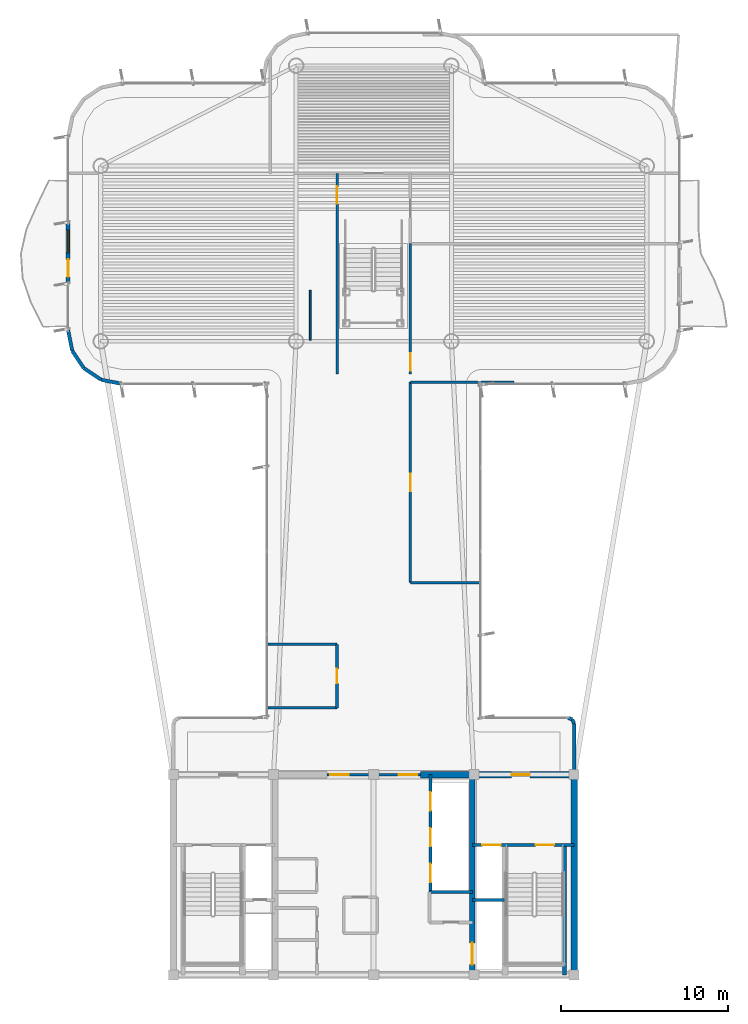
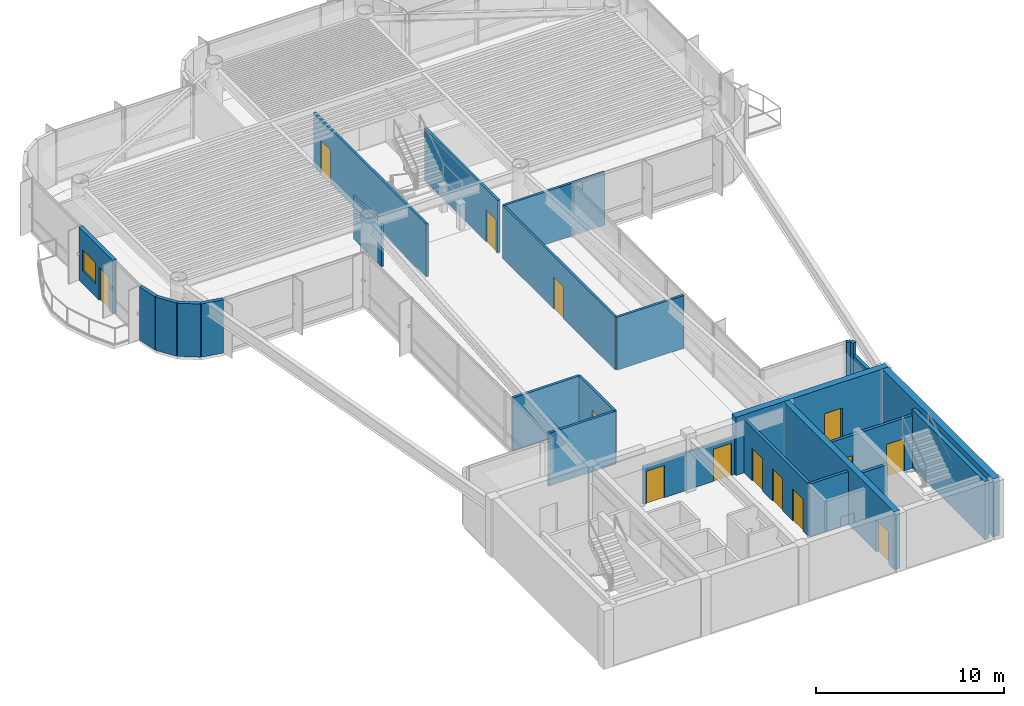
# One storey, part 11 of 17: 26 walls, 14 doors, 1 window, 15 openings.
"""IFC4 building model written with IfcOpenShell, lengths in metres."""

import ifcopenshell
import ifcopenshell.guid

model = None  # the IFC model being written
_history = None  # IfcOwnerHistory: only IFC2X3 demands one
_inside = {}  # id of a spatial element -> (the spatial element, [elements in it])
_under = {}  # id of a project, library or spatial element -> (it, [spatial elements below it])
_declared = {}  # id of a project -> (the project, [libraries it declares])
_typed = {}  # id of a type object -> (the type object, [elements of that type])
_made_of = {}  # id of a material, layer set ... -> (it, [elements and type objects made of it])


def new_model(schema):
    """Start an empty IFC model of exactly this schema.

    Asked for "IFC4X3", IfcOpenShell would pick the latest addendum, in which some entities
    have other attributes; the version numbers below select the first issue.
    IFC2X3 requires an IfcOwnerHistory on every rooted entity: one is made here for all.
    """
    global model, _history
    if schema == "IFC4X3":
        model = ifcopenshell.file(schema_version=(4, 3, 0, 0))
    else:
        model = ifcopenshell.file(schema=schema)
    _inside.clear()
    _under.clear()
    _declared.clear()
    _typed.clear()
    _made_of.clear()
    _history = None
    if model.schema == "IFC2X3":
        org = make("IfcOrganization", Name="unknown")
        user = make(
            "IfcPersonAndOrganization",
            ThePerson=make("IfcPerson", FamilyName="unknown"),
            TheOrganization=org,
        )
        app = make(
            "IfcApplication",
            ApplicationDeveloper=org,
            Version="unknown",
            ApplicationFullName="unknown",
            ApplicationIdentifier="unknown",
        )
        _history = make(
            "IfcOwnerHistory",
            OwningUser=user,
            OwningApplication=app,
            ChangeAction="ADDED",
            CreationDate=0,
        )
    return model


def make(cls, **values):
    """One entity of the class cls with the attributes given. An attribute that is None is left unset."""
    return model.create_entity(
        cls, **{name: value for name, value in values.items() if value is not None}
    )


def rooted(cls, **values):
    """An entity with a GlobalId (a new one), such as an element, a storey or a relation."""
    return make(cls, GlobalId=ifcopenshell.guid.new(), OwnerHistory=_history, **values)


def si_unit(unit_type, name, prefix=None):
    """IfcSIUnit, for example si_unit("LENGTHUNIT", "METRE", prefix="MILLI")."""
    return make("IfcSIUnit", UnitType=unit_type, Prefix=prefix, Name=name)


def assignment(units):
    """IfcUnitAssignment: the units of a project."""
    return None if units is None else make("IfcUnitAssignment", Units=units)


def point(xyz):
    """IfcCartesianPoint."""
    return None if xyz is None else make("IfcCartesianPoint", Coordinates=xyz)


def direction(xyz):
    """IfcDirection."""
    return None if xyz is None else make("IfcDirection", DirectionRatios=xyz)


def frame(location, z_axis=None, x_axis=None):
    """IfcAxis2Placement3D, a coordinate frame: its origin and axes. An axis left out is left unset."""
    return make(
        "IfcAxis2Placement3D",
        Location=point(location),
        Axis=direction(z_axis),
        RefDirection=direction(x_axis),
    )


def frame_2d(location, x_axis=None):
    """IfcAxis2Placement2D, a coordinate frame in the plane: its origin and x axis."""
    return make(
        "IfcAxis2Placement2D", Location=point(location), RefDirection=direction(x_axis)
    )


def origin():
    """The frame at (0, 0, 0) with its axes left unset."""
    return frame((0.0, 0.0, 0.0))


def origin_2d():
    """The frame at (0, 0) in the plane with its x axis left unset."""
    return frame_2d((0.0, 0.0))


def place(relative_to, where):
    """IfcLocalPlacement: puts the frame where relative to a parent placement (None: the world)."""
    return make(
        "IfcLocalPlacement", PlacementRelTo=relative_to, RelativePlacement=where
    )


def context(
    kind, dimensions, precision=None, world=None, true_north=None, identifier=None
):
    """IfcGeometricRepresentationContext, for example the 3D "Model" context."""
    return make(
        "IfcGeometricRepresentationContext",
        ContextIdentifier=identifier,
        ContextType=kind,
        CoordinateSpaceDimension=dimensions,
        Precision=precision,
        WorldCoordinateSystem=world,
        TrueNorth=true_north,
    )


def subcontext(parent, identifier, kind, view, scale=None):
    """IfcGeometricRepresentationSubContext, for example "Body" below "Model"."""
    return make(
        "IfcGeometricRepresentationSubContext",
        ContextIdentifier=identifier,
        ContextType=kind,
        ParentContext=parent,
        TargetScale=scale,
        TargetView=view,
    )


def project(units=None, contexts=None):
    """IfcProject with its units and contexts."""
    return rooted(
        "IfcProject",
        Name="project",
        RepresentationContexts=contexts,
        UnitsInContext=assignment(units),
    )


def spatial(cls, under=None, at=None, **own):
    """A site, building, storey or space (cls), placed at a placement, below another one or the project."""
    s = rooted(cls, ObjectPlacement=at, **own)
    if under is not None:
        _under.setdefault(under.id(), (under, []))[1].append(s)
    return s


def profile(cls, at=None, kind="AREA", **sizes):
    """A parametric profile (cls). Its sizes go by their IFC names, for example OverallWidth=200.0."""
    return make(cls, ProfileType=kind, Position=at, **sizes)


def rectangle(**sizes):
    """IfcRectangleProfileDef."""
    return profile("IfcRectangleProfileDef", **sizes)


def extrude(swept, where, along, depth):
    """IfcExtrudedAreaSolid: the profile swept, set in the frame where, extruded along a direction by depth."""
    return make(
        "IfcExtrudedAreaSolid",
        SweptArea=swept,
        Position=where,
        ExtrudedDirection=direction(along),
        Depth=depth,
    )


def shape(context_of_items, identifier, shape_type, items):
    """IfcShapeRepresentation: the items that make up one representation, for example the "Body"."""
    return make(
        "IfcShapeRepresentation",
        ContextOfItems=context_of_items,
        RepresentationIdentifier=identifier,
        RepresentationType=shape_type,
        Items=items,
    )


def source(mapping_origin, context_of_items, identifier, shape_type, items):
    """IfcRepresentationMap: a shape defined once, which mapped items show again and again."""
    return make(
        "IfcRepresentationMap",
        MappingOrigin=mapping_origin,
        MappedRepresentation=shape(context_of_items, identifier, shape_type, items),
    )


def transform(
    local_origin,
    x_axis=None,
    y_axis=None,
    z_axis=None,
    scale=None,
    scale2=None,
    scale3=None,
    uniform=True,
):
    """IfcCartesianTransformationOperator3D, or its non-uniform kind. x_axis, y_axis, z_axis: its Axis1, 2, 3."""
    if uniform:
        return make(
            "IfcCartesianTransformationOperator3D",
            Axis1=direction(x_axis),
            Axis2=direction(y_axis),
            LocalOrigin=point(local_origin),
            Scale=scale,
            Axis3=direction(z_axis),
        )
    return make(
        "IfcCartesianTransformationOperator3DnonUniform",
        Axis1=direction(x_axis),
        Axis2=direction(y_axis),
        LocalOrigin=point(local_origin),
        Scale=scale,
        Axis3=direction(z_axis),
        Scale2=scale2,
        Scale3=scale3,
    )


def mapped(mapping_source, mapping_target):
    """IfcMappedItem: shows the shape of a source again, moved by a transform."""
    return make(
        "IfcMappedItem", MappingSource=mapping_source, MappingTarget=mapping_target
    )


def material(Name=None, Category=None):
    """IfcMaterial."""
    return make("IfcMaterial", Name=Name, Category=Category)


def layer(
    of_material, thickness, ventilated=None, Name=None, Category=None, Priority=None
):
    """IfcMaterialLayer: one layer of a wall or slab, of a material (None: an air gap)."""
    return make(
        "IfcMaterialLayer",
        Material=of_material,
        LayerThickness=thickness,
        IsVentilated=ventilated,
        Name=Name,
        Category=Category,
        Priority=Priority,
    )


def layer_set(layers, Name=None):
    """IfcMaterialLayerSet."""
    return make("IfcMaterialLayerSet", MaterialLayers=layers, LayerSetName=Name)


def made_of(thing, what):
    """Note that an element or type object is made of a material, layer set ...; save() writes the relation."""
    if what is not None:
        _made_of.setdefault(what.id(), (what, []))[1].append(thing)
    return thing


def type_object(cls, material=None, **own):
    """A type object (cls), such as IfcWallType, which elements share."""
    return made_of(rooted(cls, **own), material)


def element(
    cls,
    number,
    at=None,
    inside=None,
    cuts=None,
    type_object=None,
    material=None,
    context=None,
    identifier="Body",
    shape_type=None,
    held_by="IfcProductDefinitionShape",
    body=None,
    shapes=None,
    **own,
):
    """One element of the class cls, such as IfcWall. Its Tag is "e" and its number.

    at: its placement. inside: the storey or other place that contains it. cuts: it is an
    opening in that element (IfcRelVoidsElement). A single representation is given by context,
    identifier, shape_type and body (its items); several are given by shapes. held_by: the class
    of the entity that holds the representations. save() writes the other relations.
    """
    e = rooted(cls, Tag="e%d" % number, ObjectPlacement=at, **own)
    if body is not None:
        shapes = [shape(context, identifier, shape_type, body)]
    if shapes is not None:
        e.Representation = make(held_by, Representations=shapes)
    if inside is not None:
        _inside.setdefault(inside.id(), (inside, []))[1].append(e)
    if cuts is not None:
        rooted(
            "IfcRelVoidsElement", RelatingBuildingElement=cuts, RelatedOpeningElement=e
        )
    if type_object is not None:
        _typed.setdefault(type_object.id(), (type_object, []))[1].append(e)
    return made_of(e, material)


def fill(opening, filler):
    """IfcRelFillsElement: the door or window that sits in an opening."""
    return rooted(
        "IfcRelFillsElement",
        RelatingOpeningElement=opening,
        RelatedBuildingElement=filler,
    )


def aggregate(whole, parts):
    """IfcRelAggregates: a whole, such as a stair, and the parts it consists of."""
    return rooted("IfcRelAggregates", RelatingObject=whole, RelatedObjects=parts)


def save(model, path):
    """Write the relations noted so far, then the file.

    IfcRelAggregates (storeys below a building ...), IfcRelContainedInSpatialStructure (elements
    in a storey), IfcRelDefinesByType, IfcRelAssociatesMaterial and IfcRelDeclares: one each for
    every whole, place, type object, material and project.
    """
    for whole, parts in _under.values():
        aggregate(whole, parts)
    for where, things in _inside.values():
        rooted(
            "IfcRelContainedInSpatialStructure",
            RelatedElements=things,
            RelatingStructure=where,
        )
    for kind, things in _typed.values():
        rooted("IfcRelDefinesByType", RelatedObjects=things, RelatingType=kind)
    for what, things in _made_of.values():
        rooted("IfcRelAssociatesMaterial", RelatedObjects=things, RelatingMaterial=what)
    for by, libraries in _declared.values():
        rooted("IfcRelDeclares", RelatingContext=by, RelatedDefinitions=libraries)
    model.write(path)


model = new_model("IFC4")

# Units and contexts
model_context = context("Model", 3, precision=1e-05, world=origin(), true_north=direction((0.0, 1.0)))
body_context = subcontext(model_context, "Body", "Model", "MODEL_VIEW")
ifc_project = project(units=[si_unit("LENGTHUNIT", "METRE"), si_unit("AREAUNIT", "SQUARE_METRE"), si_unit("VOLUMEUNIT", "CUBIC_METRE"), si_unit("PLANEANGLEUNIT", "RADIAN"), si_unit("MASSUNIT", "GRAM", prefix="KILO")], contexts=[model_context])

# Site, building, storey
site_placement = place(None, origin())
site = spatial("IfcSite", under=ifc_project, at=site_placement, CompositionType="ELEMENT")
building_placement = place(site_placement, origin())
building = spatial("IfcBuilding", under=site, at=building_placement, Name="Brelvock Crest Care Tower", CompositionType="ELEMENT")
storey_placement = place(building_placement, frame((0.0, 0.0, 287.280029296875)))
storey = spatial("IfcBuildingStorey", under=building, at=storey_placement, Name="L73", CompositionType="ELEMENT", Elevation=287.280029296875)

# Wall
ifc_material_1 = material(Name="Concrete S65 (65 MPa)", Category="concrete")
ifc_layer_1 = layer(ifc_material_1, 0.39990234375, Name="WL-CS4")
ifc_layer_set_1 = layer_set([ifc_layer_1], Name="Concrete S65 (65 MPa)")
wall_type_1 = type_object("IfcWallType", Name="WL-CS4", PredefinedType="SHEAR", material=ifc_layer_set_1)
wall_1_placement = place(storey_placement, frame((48.0, 18.0, 0.0), z_axis=(0.0, 0.0, 1.0), x_axis=(0.0, -1.0, 0.0)))
element("IfcWall", 1, at=wall_1_placement, inside=storey, type_object=wall_type_1, Name="L73 Core East Shear Wall", PredefinedType="SHEAR", context=body_context, shape_type="SweptSolid", body=[
    extrude(rectangle(XDim=12.0, YDim=0.39990234375, at=frame_2d((6.0, 0.0))), origin(), (0.0, 0.0, 1.0), 3.780029296875),
])

# Wall, opening, door
wall_2_placement = place(storey_placement, frame((38.800048828125, 18.0, 0.0), z_axis=(0.0, 0.0, 1.0), x_axis=(1.0, 0.0, 0.0)))
wall_2 = element("IfcWall", 2, at=wall_2_placement, inside=storey, type_object=wall_type_1, Name="L73 Core North-East Shear Wall", PredefinedType="SHEAR", context=body_context, shape_type="SweptSolid", body=[
    extrude(rectangle(XDim=9.39990234375, YDim=0.39990234375, at=frame_2d((4.699951171875, 0.0))), origin(), (0.0, 0.0, 1.0), 3.780029296875),
])
opening_1_placement = place(wall_2_placement, frame((5.449951171875, 0.0, 0.0)))
opening_1 = element("IfcOpeningElement", 3, at=opening_1_placement, cuts=wall_2, Name="Opening FD-1", PredefinedType="OPENING", context=body_context, shape_type="SweptSolid", body=[
    extrude(rectangle(XDim=1.10009765625, YDim=2.10009765625, at=origin_2d()), frame((0.550048828125, 0.2099609375, 1.050048828125), z_axis=(0.0, -1.0, 0.0), x_axis=(1.0, 0.0, 0.0)), (0.0, 0.0, 1.0), 0.419921875),
])
ifc_material_2 = material(Name="Steel Grade 350", Category="steel")
door_type_1 = type_object("IfcDoorType", Name="DR-FFL1", OperationType="NOTDEFINED", PredefinedType="DOOR", material=ifc_material_2)
shared_shape_1 = source(origin(), body_context, "Body", "SweptSolid", [
    extrude(rectangle(XDim=1.10009765625, YDim=2.10009765625, at=origin_2d()), frame((0.550048828125, 0.02490234375, 1.050048828125), z_axis=(0.0, -1.0, 0.0), x_axis=(1.0, 0.0, 0.0)), (0.0, 0.0, 1.0), 0.050048828125),
])
door_1_placement = place(opening_1_placement, origin())
door_1 = element("IfcDoor", 4, at=door_1_placement, inside=storey, type_object=door_type_1, Name="L73 Firefighting Lobby FFL-2 Exit Door", OperationType="SINGLE_SWING_RIGHT", OverallHeight=2.10009765625, OverallWidth=1.10009765625, PredefinedType="DOOR", context=body_context, shape_type="MappedRepresentation", body=[
    mapped(shared_shape_1, transform((0.0, 0.0, 0.0), x_axis=(1.0, 0.0, 0.0), y_axis=(0.0, 1.0, 0.0), z_axis=(0.0, 0.0, 1.0), scale=1.0)),
])
fill(opening_1, door_1)

ifc_material_3 = material(Name="Concrete S80 (80 MPa)", Category="concrete")
ifc_layer_2 = layer(ifc_material_3, 0.35009765625, Name="WL-CS5")
ifc_layer_set_2 = layer_set([ifc_layer_2], Name="Concrete S80 (80 MPa)")
wall_type_2 = type_object("IfcWallType", Name="WL-CS5", PredefinedType="SHEAR", material=ifc_layer_set_2)
wall_3_placement = place(storey_placement, frame((41.89990234375, 18.0, 0.0), z_axis=(0.0, 0.0, 1.0), x_axis=(0.0, -1.0, 0.0)))
wall_3 = element("IfcWall", 5, at=wall_3_placement, inside=storey, type_object=wall_type_2, Name="L73 Core Internal Web Wall East", PredefinedType="SHEAR", context=body_context, shape_type="SweptSolid", body=[
    extrude(rectangle(XDim=12.0, YDim=0.35009765625, at=frame_2d((6.0, 0.0))), origin(), (0.0, 0.0, 1.0), 3.780029296875),
])
opening_2_placement = place(wall_3_placement, frame((10.080078125, 0.0, 0.0)))
opening_2 = element("IfcOpeningElement", 6, at=opening_2_placement, cuts=wall_3, Name="Opening LD-S", PredefinedType="OPENING", context=body_context, shape_type="SweptSolid", body=[
    extrude(rectangle(XDim=1.300048828125, YDim=2.10009765625, at=origin_2d()), frame((0.64990234375, 0.18505859375, 1.050048828125), z_axis=(0.0, -1.0, 0.0), x_axis=(1.0, 0.0, 0.0)), (0.0, 0.0, 1.0), 0.3701171875),
])
door_type_2 = type_object("IfcDoorType", Name="DR-LDS1", OperationType="NOTDEFINED", PredefinedType="DOOR", material=ifc_material_2)
shared_shape_2 = source(origin(), body_context, "Body", "SweptSolid", [
    extrude(rectangle(XDim=1.300048828125, YDim=2.10009765625, at=origin_2d()), frame((0.64990234375, 0.02490234375, 1.050048828125), z_axis=(0.0, -1.0, 0.0), x_axis=(1.0, 0.0, 0.0)), (0.0, 0.0, 1.0), 0.050048828125),
])
door_2_placement = place(opening_2_placement, origin())
door_2 = element("IfcDoor", 7, at=door_2_placement, inside=storey, type_object=door_type_2, Name="L73 Clinical Bed Lift SL-1 Landing Door", OperationType="SLIDING_TO_LEFT", OverallHeight=2.10009765625, OverallWidth=1.300048828125, PredefinedType="DOOR", context=body_context, shape_type="MappedRepresentation", body=[
    mapped(shared_shape_2, transform((0.0, 0.0, 0.0), x_axis=(1.0, 0.0, 0.0), y_axis=(0.0, 1.0, 0.0), z_axis=(0.0, 0.0, 1.0), scale=1.0)),
])
fill(opening_2, door_2)

# Wall
ifc_layer_3 = layer(ifc_material_3, 0.25, Name="WL-CS6")
ifc_layer_set_3 = layer_set([ifc_layer_3], Name="Concrete S80 (80 MPa)")
wall_type_3 = type_object("IfcWallType", Name="WL-CS6", PredefinedType="SHEAR", material=ifc_layer_set_3)
wall_4_placement = place(storey_placement, frame((47.419921875, 6.0, 0.0), z_axis=(0.0, 0.0, 1.0), x_axis=(0.0, 1.0, 0.0)))
element("IfcWall", 8, at=wall_4_placement, inside=storey, type_object=wall_type_3, Name="L73 Core Stair ST-2 East Shear Wall", PredefinedType="SHEAR", context=body_context, shape_type="SweptSolid", body=[
    extrude(rectangle(XDim=7.780029296875, YDim=0.25, at=frame_2d((3.89013671875, 0.0))), origin(), (0.0, 0.0, 1.0), 3.780029296875),
])

# Wall, openings, door, window
ifc_material_4 = material(Name="Precast concrete N40 (40 MPa)", Category="concrete")
ifc_layer_4 = layer(ifc_material_4, 0.239990234375, Name="WL-EX1")
ifc_layer_set_4 = layer_set([ifc_layer_4], Name="Precast concrete N40 (40 MPa)")
wall_type_4 = type_object("IfcWallType", Name="WL-EX1", PredefinedType="SOLIDWALL", material=ifc_layer_set_4)
wall_5_placement = place(storey_placement, frame((17.699951171875, 47.39990234375, 0.0), z_axis=(0.0, 0.0, 1.0), x_axis=(0.0, 1.0, 0.0)))
wall_5 = element("IfcWall", 9, at=wall_5_placement, inside=storey, type_object=wall_type_4, Name="L73 Exterior Spandrel Wall WL-BAL-L73-W", PredefinedType="SOLIDWALL", context=body_context, shape_type="SweptSolid", body=[
    extrude(rectangle(XDim=3.60009765625, YDim=0.239990234375, at=frame_2d((1.800048828125, 0.0))), origin(), (0.0, 0.0, 1.0), 3.4599609375),
])
opening_3_placement = place(wall_5_placement, frame((0.39990234375, 0.0, 0.0)))
opening_3 = element("IfcOpeningElement", 10, at=opening_3_placement, cuts=wall_5, Name="Opening BD-1", PredefinedType="OPENING", context=body_context, shape_type="SweptSolid", body=[
    extrude(rectangle(XDim=1.050048828125, YDim=2.14990234375, at=origin_2d()), frame((0.52490234375, 0.1298828125, 1.074951171875), z_axis=(0.0, -1.0, 0.0), x_axis=(1.0, 0.0, 0.0)), (0.0, 0.0, 1.0), 0.260009765625),
])
opening_4_placement = place(wall_5_placement, frame((1.85009765625, 0.0, 0.85009765625)))
opening_4 = element("IfcOpeningElement", 11, at=opening_4_placement, cuts=wall_5, Name="Opening W-01", PredefinedType="OPENING", context=body_context, shape_type="SweptSolid", body=[
    extrude(rectangle(XDim=1.35009765625, YDim=1.35009765625, at=origin_2d()), frame((0.675048828125, 0.1298828125, 0.675048828125), z_axis=(0.0, -1.0, 0.0), x_axis=(1.0, 0.0, 0.0)), (0.0, 0.0, 1.0), 0.260009765625),
])
ifc_material_5 = material(Name="Dark Glass Double Glazed Low-E", Category="glass")
door_type_3 = type_object("IfcDoorType", Name="DR-BAL1", OperationType="NOTDEFINED", PredefinedType="DOOR", material=ifc_material_5)
shared_shape_3 = source(origin(), body_context, "Body", "SweptSolid", [
    extrude(rectangle(XDim=1.050048828125, YDim=2.14990234375, at=origin_2d()), frame((0.52490234375, 0.02490234375, 1.074951171875), z_axis=(0.0, -1.0, 0.0), x_axis=(1.0, 0.0, 0.0)), (0.0, 0.0, 1.0), 0.050048828125),
])
door_3_placement = place(opening_3_placement, origin())
door_3 = element("IfcDoor", 12, at=door_3_placement, inside=storey, type_object=door_type_3, Name="L73 W Wave Balcony Glazed Door", OperationType="SINGLE_SWING_LEFT", OverallHeight=2.14990234375, OverallWidth=1.050048828125, PredefinedType="DOOR", context=body_context, shape_type="MappedRepresentation", body=[
    mapped(shared_shape_3, transform((0.0, 0.0, 0.0), x_axis=(1.0, 0.0, 0.0), y_axis=(0.0, 1.0, 0.0), z_axis=(0.0, 0.0, 1.0), scale=1.0)),
])
fill(opening_3, door_3)
window_type = type_object("IfcWindowType", Name="WN-EX1", PartitioningType="SINGLE_PANEL", PredefinedType="WINDOW", material=ifc_material_5)
shared_shape_4 = source(origin(), body_context, "Body", "SweptSolid", [
    extrude(rectangle(XDim=1.35009765625, YDim=1.35009765625, at=origin_2d()), frame((0.675048828125, 0.030029296875, 0.675048828125), z_axis=(0.0, -1.0, 0.0), x_axis=(1.0, 0.0, 0.0)), (0.0, 0.0, 1.0), 0.06005859375),
])
window_placement = place(opening_4_placement, origin())
window = element("IfcWindow", 13, at=window_placement, inside=storey, type_object=window_type, Name="L73 W Suite Casement Window", OverallHeight=1.35009765625, OverallWidth=1.35009765625, PartitioningType="SINGLE_PANEL", PredefinedType="WINDOW", context=body_context, shape_type="MappedRepresentation", body=[
    mapped(shared_shape_4, transform((0.0, 0.0, 0.0), x_axis=(1.0, 0.0, 0.0), y_axis=(0.0, 1.0, 0.0), z_axis=(0.0, 0.0, 1.0), scale=1.0)),
])
fill(opening_4, window)

# Walls
ifc_layer_5 = layer(ifc_material_4, 0.215087890625, Name="WL-EX2")
ifc_layer_set_5 = layer_set([ifc_layer_5], Name="Precast concrete N40 (40 MPa)")
wall_type_5 = type_object("IfcWallType", Name="WL-EX2", PredefinedType="SOLIDWALL", material=ifc_layer_set_5)
wall_6_placement = place(storey_placement, frame((47.8974609375, 21.297607421875, 0.0), z_axis=(0.0, 0.0, 1.0), x_axis=(0.382673670509, -0.923883575944, 0.0)))
element("IfcWall", 14, at=wall_6_placement, inside=storey, type_object=wall_type_5, Name="L73 Rounded Corner Wall 00", PredefinedType="SOLIDWALL", context=body_context, shape_type="SweptSolid", body=[
    extrude(rectangle(XDim=0.26806640625, YDim=0.215087890625, at=frame_2d((0.134033203125, 0.0))), origin(), (0.0, 0.0, 1.0), 3.4599609375),
])
wall_7_placement = place(storey_placement, frame((48.0, 21.050048828125, 0.0), z_axis=(0.0, 0.0, 1.0), x_axis=(0.0, -1.0, 0.0)))
element("IfcWall", 15, at=wall_7_placement, inside=storey, type_object=wall_type_5, Name="L73 Rounded Corner Wall 01", PredefinedType="SOLIDWALL", context=body_context, shape_type="SweptSolid", body=[
    extrude(rectangle(XDim=2.77001953125, YDim=0.215087890625, at=frame_2d((1.385009765625, 0.0))), origin(), (0.0, 0.0, 1.0), 2.64794921875),
])
for number, where, z_axis, x_axis, name in (
    (16, (20.89990234375, 41.39990234375, 0.0), (0.0, 0.0, 1.0), (-0.980775717779, 0.195138390419, 0.0), "L73 Rounded Corner Wall 13"),
    (17, (19.67529296875, 41.6435546875, 0.0), (0.0, 0.0, 1.0), (-0.831387912822, 0.555692485475, 0.0), "L73 Rounded Corner Wall 14"),
    (18, (18.63720703125, 42.33740234375, 0.0), (0.0, 0.0, 1.0), (-0.555557312883, 0.831478245117, 0.0), "L73 Rounded Corner Wall 15"),
    (19, (17.943603515625, 43.37548828125, 0.0), (0.0, 0.0, 1.0), (-0.195138390419, 0.980775717779, 0.0), "L73 Rounded Corner Wall 16"),
):
    element("IfcWall", number, at=place(storey_placement, frame(where, z_axis=z_axis, x_axis=x_axis)), inside=storey, type_object=wall_type_5, Name=name, PredefinedType="SOLIDWALL", context=body_context, shape_type="SweptSolid", body=[
        extrude(rectangle(XDim=1.24853515625, YDim=0.215087890625, at=frame_2d((0.624267578125, 0.0))), origin(), (0.0, 0.0, 1.0), 3.4599609375),
    ])
wall_8_placement = place(storey_placement, frame((47.64990234375, 21.39990234375, 0.0), z_axis=(0.0, 0.0, 1.0), x_axis=(0.924205486139, -0.381895560841, 0.0)))
element("IfcWall", 20, at=wall_8_placement, inside=storey, type_object=wall_type_5, Name="L73 Rounded Corner Wall 47", PredefinedType="SOLIDWALL", context=body_context, shape_type="SweptSolid", body=[
    extrude(rectangle(XDim=0.267822265625, YDim=0.215087890625, at=frame_2d((0.1337890625, 0.0))), origin(), (0.0, 0.0, 1.0), 3.4599609375),
])

# Wall, openings, doors
ifc_material_6 = material(Name="Masonry Blockwork Acoustic Partition", Category="masonry")
ifc_layer_6 = layer(ifc_material_6, 0.14990234375, Name="WL-INT1")
ifc_layer_set_6 = layer_set([ifc_layer_6], Name="Masonry Blockwork Acoustic Partition")
wall_type_6 = type_object("IfcWallType", Name="WL-INT1", PredefinedType="PARTITIONING", material=ifc_layer_set_6)
wall_9_placement = place(storey_placement, frame((33.199951171875, 18.0, 0.0), z_axis=(0.0, 0.0, 1.0), x_axis=(1.0, 0.0, 0.0)))
wall_9 = element("IfcWall", 21, at=wall_9_placement, inside=storey, type_object=wall_type_6, Name="L73 Interior Wall WL-CORE-NPORT-L73", PredefinedType="PARTITIONING", context=body_context, shape_type="SweptSolid", body=[
    extrude(rectangle(XDim=5.60009765625, YDim=0.14990234375, at=frame_2d((2.800048828125, 0.0))), origin(), (0.0, 0.0, 1.0), 2.445068359375),
])
opening_5_placement = place(wall_9_placement, frame((0.18994140625, 0.0, 0.0)))
opening_5 = element("IfcOpeningElement", 22, at=opening_5_placement, cuts=wall_9, Name="Opening FD-1", PredefinedType="OPENING", context=body_context, shape_type="SweptSolid", body=[
    extrude(rectangle(XDim=1.10009765625, YDim=2.10009765625, at=origin_2d()), frame((0.550048828125, 0.0849609375, 1.050048828125), z_axis=(0.0, -1.0, 0.0), x_axis=(1.0, 0.0, 0.0)), (0.0, 0.0, 1.0), 0.169921875),
])
opening_6_placement = place(wall_9_placement, frame((4.31005859375, 0.0, 0.0)))
opening_6 = element("IfcOpeningElement", 23, at=opening_6_placement, cuts=wall_9, Name="Opening FD-1", PredefinedType="OPENING", context=body_context, shape_type="SweptSolid", body=[
    extrude(rectangle(XDim=1.10009765625, YDim=2.10009765625, at=origin_2d()), frame((0.550048828125, 0.0849609375, 1.050048828125), z_axis=(0.0, -1.0, 0.0), x_axis=(1.0, 0.0, 0.0)), (0.0, 0.0, 1.0), 0.169921875),
])
door_4_placement = place(opening_5_placement, origin())
door_4 = element("IfcDoor", 24, at=door_4_placement, inside=storey, type_object=door_type_1, Name="L73 Lift Lobby North Smoke Door West", OperationType="SINGLE_SWING_LEFT", OverallHeight=2.10009765625, OverallWidth=1.10009765625, PredefinedType="DOOR", context=body_context, shape_type="MappedRepresentation", body=[
    mapped(shared_shape_1, transform((0.0, 0.0, 0.0), x_axis=(1.0, 0.0, 0.0), y_axis=(0.0, 1.0, 0.0), z_axis=(0.0, 0.0, 1.0), scale=1.0)),
])
fill(opening_5, door_4)
door_5_placement = place(opening_6_placement, origin())
door_5 = element("IfcDoor", 25, at=door_5_placement, inside=storey, type_object=door_type_1, Name="L73 Lift Lobby North Smoke Door East", OperationType="SINGLE_SWING_RIGHT", OverallHeight=2.10009765625, OverallWidth=1.10009765625, PredefinedType="DOOR", context=body_context, shape_type="MappedRepresentation", body=[
    mapped(shared_shape_1, transform((0.0, 0.0, 0.0), x_axis=(1.0, 0.0, 0.0), y_axis=(0.0, 1.0, 0.0), z_axis=(0.0, 0.0, 1.0), scale=1.0)),
])
fill(opening_6, door_5)

# Walls
wall_10_placement = place(storey_placement, frame((38.199951171875, 29.5, 0.0), z_axis=(0.0, 0.0, 1.0), x_axis=(1.0, 0.0, 0.0)))
element("IfcWall", 26, at=wall_10_placement, inside=storey, type_object=wall_type_6, Name="L73 Interior Wall WL-BX-L73-CUR-S", PredefinedType="PARTITIONING", context=body_context, shape_type="SweptSolid", body=[
    extrude(rectangle(XDim=4.122802734375, YDim=0.14990234375, at=frame_2d((2.0615234375, 0.0))), origin(), (0.0, 0.0, 1.0), 3.429931640625),
])
wall_11_placement = place(storey_placement, frame((38.199951171875, 41.5, 0.0), z_axis=(0.0, 0.0, 1.0), x_axis=(1.0, 0.0, 0.0)))
element("IfcWall", 27, at=wall_11_placement, inside=storey, type_object=wall_type_6, Name="L73 Interior Wall WL-BX-L73-CUR-N", PredefinedType="PARTITIONING", context=body_context, shape_type="SweptSolid", body=[
    extrude(rectangle(XDim=6.210205078125, YDim=0.14990234375, at=frame_2d((3.10498046875, 0.0))), origin(), (0.0, 0.0, 1.0), 3.429931640625),
])

# Wall, opening, door
wall_12_placement = place(storey_placement, frame((33.800048828125, 42.0, 0.0), z_axis=(0.0, 0.0, 1.0), x_axis=(0.0, 1.0, 0.0)))
wall_12 = element("IfcWall", 28, at=wall_12_placement, inside=storey, type_object=wall_type_6, Name="L73 Interior Wall WL-RM-L73-GAL", PredefinedType="PARTITIONING", context=body_context, shape_type="SweptSolid", body=[
    extrude(rectangle(XDim=12.0, YDim=0.14990234375, at=frame_2d((6.0, 0.0))), origin(), (0.0, 0.0, 1.0), 3.429931640625),
])
opening_7_placement = place(wall_12_placement, frame((10.175048828125, 0.0, 0.0)))
opening_7 = element("IfcOpeningElement", 29, at=opening_7_placement, cuts=wall_12, Name="Opening CLD-1", PredefinedType="OPENING", context=body_context, shape_type="SweptSolid", body=[
    extrude(rectangle(XDim=1.050048828125, YDim=2.10009765625, at=origin_2d()), frame((0.52490234375, 0.0849609375, 1.050048828125), z_axis=(0.0, -1.0, 0.0), x_axis=(1.0, 0.0, 0.0)), (0.0, 0.0, 1.0), 0.169921875),
])
ifc_material_7 = material(Name="Engineered Hardwood Timber", Category="wood")
door_type_4 = type_object("IfcDoorType", Name="DR-CLN1", OperationType="NOTDEFINED", PredefinedType="DOOR", material=ifc_material_7)
shared_shape_5 = source(origin(), body_context, "Body", "SweptSolid", [
    extrude(rectangle(XDim=1.050048828125, YDim=2.10009765625, at=origin_2d()), frame((0.52490234375, 0.02490234375, 1.050048828125), z_axis=(0.0, -1.0, 0.0), x_axis=(1.0, 0.0, 0.0)), (0.0, 0.0, 1.0), 0.050048828125),
])
door_6_placement = place(opening_7_placement, origin())
door_6 = element("IfcDoor", 30, at=door_6_placement, inside=storey, type_object=door_type_4, Name="L73 Sydney Harbour Exhibition Gallery Door GAL", OperationType="SINGLE_SWING_LEFT", OverallHeight=2.10009765625, OverallWidth=1.050048828125, PredefinedType="DOOR", context=body_context, shape_type="MappedRepresentation", body=[
    mapped(shared_shape_5, transform((0.0, 0.0, 0.0), x_axis=(1.0, 0.0, 0.0), y_axis=(0.0, 1.0, 0.0), z_axis=(0.0, 0.0, 1.0), scale=1.0)),
])
fill(opening_7, door_6)

wall_13_placement = place(storey_placement, frame((38.199951171875, 29.5, 0.0), z_axis=(0.0, 0.0, 1.0), x_axis=(0.0, 1.0, 0.0)))
wall_13 = element("IfcWall", 31, at=wall_13_placement, inside=storey, type_object=wall_type_6, Name="L73 Interior Wall WL-RM-L73-CUR", PredefinedType="PARTITIONING", context=body_context, shape_type="SweptSolid", body=[
    extrude(rectangle(XDim=12.0, YDim=0.14990234375, at=frame_2d((6.0, 0.0))), origin(), (0.0, 0.0, 1.0), 3.429931640625),
])
opening_8_placement = place(wall_13_placement, frame((5.47509765625, 0.0, 0.0)))
opening_8 = element("IfcOpeningElement", 32, at=opening_8_placement, cuts=wall_13, Name="Opening CLD-1", PredefinedType="OPENING", context=body_context, shape_type="SweptSolid", body=[
    extrude(rectangle(XDim=1.050048828125, YDim=2.10009765625, at=origin_2d()), frame((0.52490234375, 0.0849609375, 1.050048828125), z_axis=(0.0, -1.0, 0.0), x_axis=(1.0, 0.0, 0.0)), (0.0, 0.0, 1.0), 0.169921875),
])
door_7_placement = place(opening_8_placement, origin())
door_7 = element("IfcDoor", 33, at=door_7_placement, inside=storey, type_object=door_type_4, Name="L73 Curatorial and Events Office Door CUR", OperationType="SINGLE_SWING_LEFT", OverallHeight=2.10009765625, OverallWidth=1.050048828125, PredefinedType="DOOR", context=body_context, shape_type="MappedRepresentation", body=[
    mapped(shared_shape_5, transform((0.0, 0.0, 0.0), x_axis=(1.0, 0.0, 0.0), y_axis=(0.0, 1.0, 0.0), z_axis=(0.0, 0.0, 1.0), scale=1.0)),
])
fill(opening_8, door_7)

wall_14_placement = place(storey_placement, frame((38.199951171875, 42.0, 0.0), z_axis=(0.0, 0.0, 1.0), x_axis=(0.0, 1.0, 0.0)))
wall_14 = element("IfcWall", 34, at=wall_14_placement, inside=storey, type_object=wall_type_6, Name="L73 Interior Wall WL-RM-L73-DIN", PredefinedType="PARTITIONING", context=body_context, shape_type="SweptSolid", body=[
    extrude(rectangle(XDim=7.800048828125, YDim=0.14990234375, at=frame_2d((3.89990234375, 0.0))), origin(), (0.0, 0.0, 1.0), 3.429931640625),
])
opening_9_placement = place(wall_14_placement, frame((0.175048828125, 0.0, 0.0)))
opening_9 = element("IfcOpeningElement", 35, at=opening_9_placement, cuts=wall_14, Name="Opening CLD-1", PredefinedType="OPENING", context=body_context, shape_type="SweptSolid", body=[
    extrude(rectangle(XDim=1.050048828125, YDim=2.10009765625, at=origin_2d()), frame((0.52490234375, 0.0849609375, 1.050048828125), z_axis=(0.0, -1.0, 0.0), x_axis=(1.0, 0.0, 0.0)), (0.0, 0.0, 1.0), 0.169921875),
])
door_8_placement = place(opening_9_placement, origin())
door_8 = element("IfcDoor", 36, at=door_8_placement, inside=storey, type_object=door_type_4, Name="L73 Crest Sky Dining Room Door DIN", OperationType="SINGLE_SWING_LEFT", OverallHeight=2.10009765625, OverallWidth=1.050048828125, PredefinedType="DOOR", context=body_context, shape_type="MappedRepresentation", body=[
    mapped(shared_shape_5, transform((0.0, 0.0, 0.0), x_axis=(1.0, 0.0, 0.0), y_axis=(0.0, 1.0, 0.0), z_axis=(0.0, 0.0, 1.0), scale=1.0)),
])
fill(opening_9, door_8)

# Walls
ifc_material_8 = material(Name="Aluminium 6063-T6", Category="aluminium")
ifc_layer_7 = layer(ifc_material_8, 0.10009765625, Name="WL-MV1")
ifc_layer_set_7 = layer_set([ifc_layer_7], Name="Aluminium 6063-T6")
wall_type_7 = type_object("IfcWallType", Name="WL-MV1", PredefinedType="MOVABLE", material=ifc_layer_set_7)
wall_15_placement = place(storey_placement, frame((32.199951171875, 44.0, 0.0), z_axis=(0.0, 0.0, 1.0), x_axis=(0.0, 1.0, 0.0)))
element("IfcWall", 37, at=wall_15_placement, inside=storey, type_object=wall_type_7, Name="L73 Operable Acoustic Partition", PredefinedType="MOVABLE", context=body_context, shape_type="SweptSolid", body=[
    extrude(rectangle(XDim=3.0, YDim=0.10009765625, at=frame_2d((1.5, 0.0))), origin(), (0.0, 0.0, 1.0), 2.849853515625),
])
ifc_material_9 = material(Name="Gypsum Plasterboard Partition", Category="gypsum")
ifc_layer_8 = layer(ifc_material_9, 0.159912109375, Name="WL-PLM1")
ifc_layer_set_8 = layer_set([ifc_layer_8], Name="Gypsum Plasterboard Partition")
wall_type_8 = type_object("IfcWallType", Name="WL-PLM1", PredefinedType="PLUMBINGWALL", material=ifc_layer_set_8)
wall_16_placement = place(storey_placement, frame((29.678466796875, 22.0, 0.0), z_axis=(0.0, 0.0, 1.0), x_axis=(1.0, 0.0, 0.0)))
element("IfcWall", 38, at=wall_16_placement, inside=storey, type_object=wall_type_8, Name="L73 Interior Wall WL-BX-L73-AWC-S", PredefinedType="PLUMBINGWALL", context=body_context, shape_type="SweptSolid", body=[
    extrude(rectangle(XDim=4.12158203125, YDim=0.159912109375, at=frame_2d((2.060791015625, 0.0))), origin(), (0.0, 0.0, 1.0), 3.429931640625),
])
wall_17_placement = place(storey_placement, frame((29.6787109375, 25.800048828125, 0.0), z_axis=(0.0, 0.0, 1.0), x_axis=(1.0, 0.0, 0.0)))
element("IfcWall", 39, at=wall_17_placement, inside=storey, type_object=wall_type_8, Name="L73 Interior Wall WL-BX-L73-AWC-N", PredefinedType="PLUMBINGWALL", context=body_context, shape_type="SweptSolid", body=[
    extrude(rectangle(XDim=4.121337890625, YDim=0.159912109375, at=frame_2d((2.060546875, 0.0))), origin(), (0.0, 0.0, 1.0), 3.429931640625),
])

# Wall, opening, door
wall_18_placement = place(storey_placement, frame((33.800048828125, 22.0, 0.0), z_axis=(0.0, 0.0, 1.0), x_axis=(0.0, 1.0, 0.0)))
wall_18 = element("IfcWall", 40, at=wall_18_placement, inside=storey, type_object=wall_type_8, Name="L73 Interior Wall WL-RM-L73-AWC", PredefinedType="PLUMBINGWALL", context=body_context, shape_type="SweptSolid", body=[
    extrude(rectangle(XDim=3.800048828125, YDim=0.159912109375, at=frame_2d((1.89990234375, 0.0))), origin(), (0.0, 0.0, 1.0), 3.429931640625),
])
opening_10_placement = place(wall_18_placement, frame((1.469970703125, 0.0, 0.0)))
opening_10 = element("IfcOpeningElement", 41, at=opening_10_placement, cuts=wall_18, Name="Opening WD-1", PredefinedType="OPENING", context=body_context, shape_type="SweptSolid", body=[
    extrude(rectangle(XDim=0.860107421875, YDim=2.10009765625, at=origin_2d()), frame((0.43017578125, 0.08984375, 1.050048828125), z_axis=(0.0, -1.0, 0.0), x_axis=(1.0, 0.0, 0.0)), (0.0, 0.0, 1.0), 0.179931640625),
])
door_type_5 = type_object("IfcDoorType", Name="DR-WC1", OperationType="NOTDEFINED", PredefinedType="DOOR", material=ifc_material_7)
shared_shape_6 = source(origin(), body_context, "Body", "SweptSolid", [
    extrude(rectangle(XDim=0.860107421875, YDim=2.10009765625, at=origin_2d()), frame((0.43017578125, 0.02490234375, 1.050048828125), z_axis=(0.0, -1.0, 0.0), x_axis=(1.0, 0.0, 0.0)), (0.0, 0.0, 1.0), 0.050048828125),
])
door_9_placement = place(opening_10_placement, origin())
door_9 = element("IfcDoor", 42, at=door_9_placement, inside=storey, type_object=door_type_5, Name="L73 Gallery Accessible WC Door AWC", OperationType="SINGLE_SWING_LEFT", OverallHeight=2.10009765625, OverallWidth=0.860107421875, PredefinedType="DOOR", context=body_context, shape_type="MappedRepresentation", body=[
    mapped(shared_shape_6, transform((0.0, 0.0, 0.0), x_axis=(1.0, 0.0, 0.0), y_axis=(0.0, 1.0, 0.0), z_axis=(0.0, 0.0, 1.0), scale=1.0)),
])
fill(opening_10, door_9)

# Wall
ifc_layer_9 = layer(ifc_material_6, 0.179931640625, Name="WL-SHF1")
ifc_layer_set_9 = layer_set([ifc_layer_9], Name="Masonry Blockwork Acoustic Partition")
wall_type_9 = type_object("IfcWallType", Name="WL-SHF1", PredefinedType="PARTITIONING", material=ifc_layer_set_9)
wall_19_placement = place(storey_placement, frame((39.35009765625, 10.97998046875, 0.0), z_axis=(0.0, 0.0, 1.0), x_axis=(1.0, 0.0, 0.0)))
element("IfcWall", 43, at=wall_19_placement, inside=storey, type_object=wall_type_9, Name="L73 Interior Wall WL-CSBE-N-L73", PredefinedType="PARTITIONING", context=body_context, shape_type="SweptSolid", body=[
    extrude(rectangle(XDim=2.5498046875, YDim=0.179931640625, at=frame_2d((1.27490234375, 0.0))), origin(), (0.0, 0.0, 1.0), 3.429931640625),
])

# Wall, openings, doors
wall_20_placement = place(storey_placement, frame((41.89990234375, 13.780029296875, 0.0), z_axis=(0.0, 0.0, 1.0), x_axis=(1.0, 0.0, 0.0)))
wall_20 = element("IfcWall", 44, at=wall_20_placement, inside=storey, type_object=wall_type_9, Name="L73 Interior Wall WL-ST2-N-L73", PredefinedType="PARTITIONING", context=body_context, shape_type="SweptSolid", body=[
    extrude(rectangle(XDim=6.10009765625, YDim=0.179931640625, at=frame_2d((3.050048828125, 0.0))), origin(), (0.0, 0.0, 1.0), 3.429931640625),
])
opening_11_placement = place(wall_20_placement, frame((0.60009765625, 0.0, 0.0)))
opening_11 = element("IfcOpeningElement", 45, at=opening_11_placement, cuts=wall_20, Name="Opening LD", PredefinedType="OPENING", context=body_context, shape_type="SweptSolid", body=[
    extrude(rectangle(XDim=1.10009765625, YDim=2.10009765625, at=origin_2d()), frame((0.550048828125, 0.10009765625, 1.050048828125), z_axis=(0.0, -1.0, 0.0), x_axis=(1.0, 0.0, 0.0)), (0.0, 0.0, 1.0), 0.199951171875),
])
opening_12_placement = place(wall_20_placement, frame((3.800048828125, 0.0, 0.0)))
opening_12 = element("IfcOpeningElement", 46, at=opening_12_placement, cuts=wall_20, Name="Opening SD-1", PredefinedType="OPENING", context=body_context, shape_type="SweptSolid", body=[
    extrude(rectangle(XDim=1.10009765625, YDim=2.10009765625, at=origin_2d()), frame((0.550048828125, 0.10009765625, 1.050048828125), z_axis=(0.0, -1.0, 0.0), x_axis=(1.0, 0.0, 0.0)), (0.0, 0.0, 1.0), 0.199951171875),
])
door_type_6 = type_object("IfcDoorType", Name="DR-ST1", OperationType="NOTDEFINED", PredefinedType="DOOR", material=ifc_material_2)
shared_shape_7 = source(origin(), body_context, "Body", "SweptSolid", [
    extrude(rectangle(XDim=1.10009765625, YDim=2.10009765625, at=origin_2d()), frame((0.550048828125, 0.02490234375, 1.050048828125), z_axis=(0.0, -1.0, 0.0), x_axis=(1.0, 0.0, 0.0)), (0.0, 0.0, 1.0), 0.050048828125),
])
door_10_placement = place(opening_12_placement, origin())
door_10 = element("IfcDoor", 47, at=door_10_placement, inside=storey, type_object=door_type_6, Name="L73 Fire Stair ST-2 Door", OperationType="SINGLE_SWING_RIGHT", OverallHeight=2.10009765625, OverallWidth=1.10009765625, PredefinedType="DOOR", context=body_context, shape_type="MappedRepresentation", body=[
    mapped(shared_shape_7, transform((0.0, 0.0, 0.0), x_axis=(1.0, 0.0, 0.0), y_axis=(0.0, 1.0, 0.0), z_axis=(0.0, 0.0, 1.0), scale=1.0)),
])
fill(opening_12, door_10)
door_type_7 = type_object("IfcDoorType", Name="DR-LD1", OperationType="NOTDEFINED", PredefinedType="DOOR", material=ifc_material_2)
shared_shape_8 = source(origin(), body_context, "Body", "SweptSolid", [
    extrude(rectangle(XDim=1.10009765625, YDim=2.10009765625, at=origin_2d()), frame((0.550048828125, 0.02490234375, 1.050048828125), z_axis=(0.0, -1.0, 0.0), x_axis=(1.0, 0.0, 0.0)), (0.0, 0.0, 1.0), 0.050048828125),
])
door_11_placement = place(opening_11_placement, origin())
door_11 = element("IfcDoor", 48, at=door_11_placement, inside=storey, type_object=door_type_7, Name="L73 Firefighting Lift FFL-2 Landing Door", OperationType="SLIDING_TO_RIGHT", OverallHeight=2.10009765625, OverallWidth=1.10009765625, PredefinedType="DOOR", context=body_context, shape_type="MappedRepresentation", body=[
    mapped(shared_shape_8, transform((0.0, 0.0, 0.0), x_axis=(1.0, 0.0, 0.0), y_axis=(0.0, 1.0, 0.0), z_axis=(0.0, 0.0, 1.0), scale=1.0)),
])
fill(opening_11, door_11)

# Wall
wall_21_placement = place(storey_placement, frame((41.89990234375, 10.5, 0.0), z_axis=(0.0, 0.0, 1.0), x_axis=(1.0, 0.0, 0.0)))
element("IfcWall", 49, at=wall_21_placement, inside=storey, type_object=wall_type_9, Name="L73 Interior Wall WL-FFH2-S-L73", PredefinedType="PARTITIONING", context=body_context, shape_type="SweptSolid", body=[
    extrude(rectangle(XDim=1.9501953125, YDim=0.179931640625, at=frame_2d((0.97509765625, 0.0))), origin(), (0.0, 0.0, 1.0), 3.429931640625),
])

# Wall, openings, doors
wall_22_placement = place(storey_placement, frame((39.39990234375, 11.0, 0.0), z_axis=(0.0, 0.0, 1.0), x_axis=(0.0, 1.0, 0.0)))
wall_22 = element("IfcWall", 50, at=wall_22_placement, inside=storey, type_object=wall_type_9, Name="L73 Interior Wall WL-PLH-BANK-L73", PredefinedType="PARTITIONING", context=body_context, shape_type="SweptSolid", body=[
    extrude(rectangle(XDim=7.0, YDim=0.179931640625, at=frame_2d((3.5, 0.0))), origin(), (0.0, 0.0, 1.0), 3.429931640625),
])
opening_13_placement = place(wall_22_placement, frame((0.550048828125, 0.0, 0.0)))
opening_13 = element("IfcOpeningElement", 51, at=opening_13_placement, cuts=wall_22, Name="Opening LD", PredefinedType="OPENING", context=body_context, shape_type="SweptSolid", body=[
    extrude(rectangle(XDim=1.10009765625, YDim=2.10009765625, at=origin_2d()), frame((0.550048828125, 0.10009765625, 1.050048828125), z_axis=(0.0, -1.0, 0.0), x_axis=(1.0, 0.0, 0.0)), (0.0, 0.0, 1.0), 0.199951171875),
])
opening_14_placement = place(wall_22_placement, frame((2.699951171875, 0.0, 0.0)))
opening_14 = element("IfcOpeningElement", 52, at=opening_14_placement, cuts=wall_22, Name="Opening LD", PredefinedType="OPENING", context=body_context, shape_type="SweptSolid", body=[
    extrude(rectangle(XDim=1.10009765625, YDim=2.10009765625, at=origin_2d()), frame((0.550048828125, 0.10009765625, 1.050048828125), z_axis=(0.0, -1.0, 0.0), x_axis=(1.0, 0.0, 0.0)), (0.0, 0.0, 1.0), 0.199951171875),
])
opening_15_placement = place(wall_22_placement, frame((4.85009765625, 0.0, 0.0)))
opening_15 = element("IfcOpeningElement", 53, at=opening_15_placement, cuts=wall_22, Name="Opening LD", PredefinedType="OPENING", context=body_context, shape_type="SweptSolid", body=[
    extrude(rectangle(XDim=1.10009765625, YDim=2.10009765625, at=origin_2d()), frame((0.550048828125, 0.10009765625, 1.050048828125), z_axis=(0.0, -1.0, 0.0), x_axis=(1.0, 0.0, 0.0)), (0.0, 0.0, 1.0), 0.199951171875),
])
door_12_placement = place(opening_13_placement, origin())
door_12 = element("IfcDoor", 54, at=door_12_placement, inside=storey, type_object=door_type_7, Name="L73 Lift PL-H1 Landing Door", OperationType="SLIDING_TO_RIGHT", OverallHeight=2.10009765625, OverallWidth=1.10009765625, PredefinedType="DOOR", context=body_context, shape_type="MappedRepresentation", body=[
    mapped(shared_shape_8, transform((0.0, 0.0, 0.0), x_axis=(1.0, 0.0, 0.0), y_axis=(0.0, 1.0, 0.0), z_axis=(0.0, 0.0, 1.0), scale=1.0)),
])
fill(opening_13, door_12)
door_13_placement = place(opening_14_placement, origin())
door_13 = element("IfcDoor", 55, at=door_13_placement, inside=storey, type_object=door_type_7, Name="L73 Lift PL-H2 Landing Door", OperationType="SLIDING_TO_RIGHT", OverallHeight=2.10009765625, OverallWidth=1.10009765625, PredefinedType="DOOR", context=body_context, shape_type="MappedRepresentation", body=[
    mapped(shared_shape_8, transform((0.0, 0.0, 0.0), x_axis=(1.0, 0.0, 0.0), y_axis=(0.0, 1.0, 0.0), z_axis=(0.0, 0.0, 1.0), scale=1.0)),
])
fill(opening_14, door_13)
door_14_placement = place(opening_15_placement, origin())
door_14 = element("IfcDoor", 56, at=door_14_placement, inside=storey, type_object=door_type_7, Name="L73 Lift PL-H3 Landing Door", OperationType="SLIDING_TO_RIGHT", OverallHeight=2.10009765625, OverallWidth=1.10009765625, PredefinedType="DOOR", context=body_context, shape_type="MappedRepresentation", body=[
    mapped(shared_shape_8, transform((0.0, 0.0, 0.0), x_axis=(1.0, 0.0, 0.0), y_axis=(0.0, 1.0, 0.0), z_axis=(0.0, 0.0, 1.0), scale=1.0)),
])
fill(opening_15, door_14)

save(model, "model.ifc")
